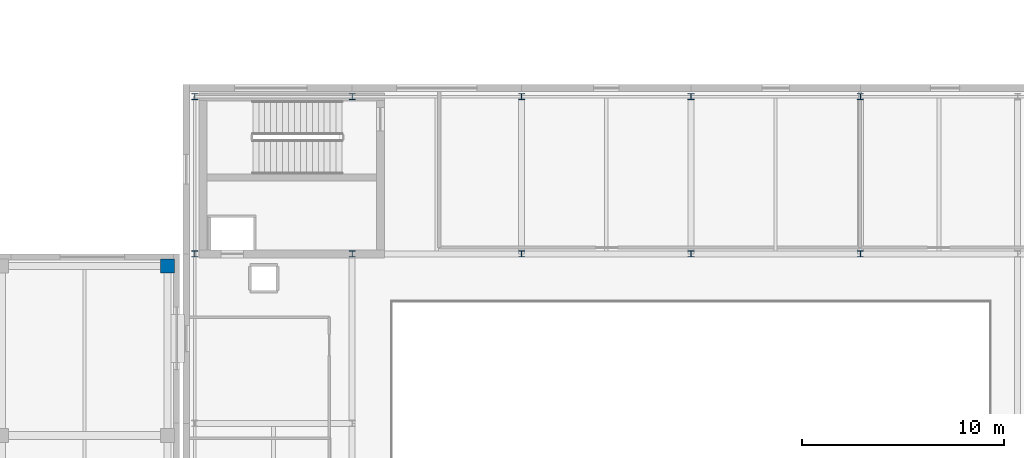
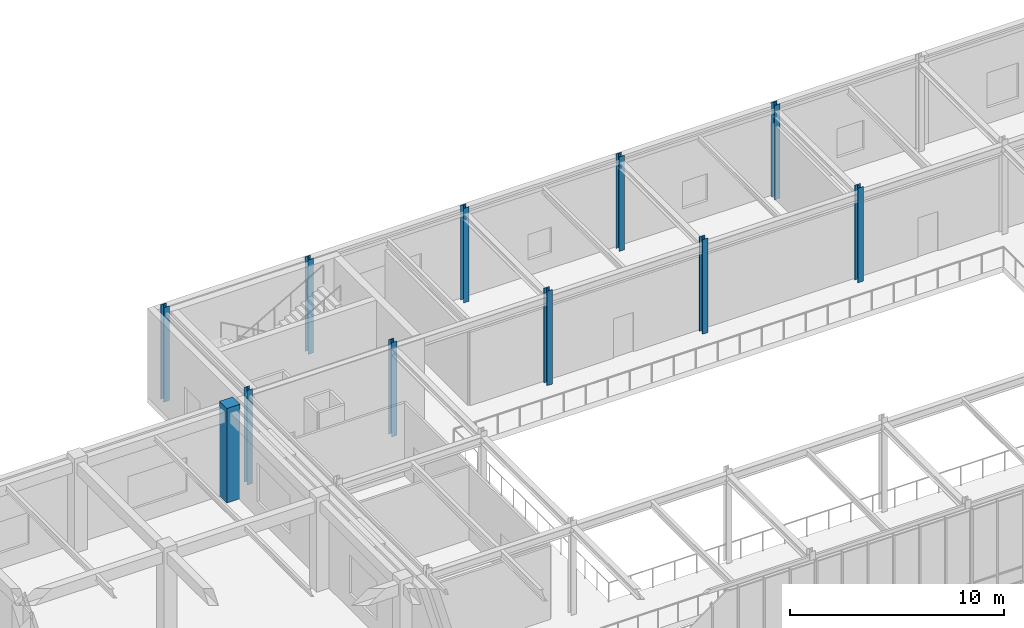
# One storey, part 10 of 139: 11 columns.
"""IFC4 building model written with IfcOpenShell, lengths in metres."""

from ifc_helpers import new_model, si_unit, direction, frame, origin, origin_2d, place, context, subcontext, project, spatial, rectangle, i_section, extrude, material, material_profile, profile_set, type_object, element, save


model = new_model("IFC4")

# Units and contexts
model_context = context("Model", 3, precision=1e-05, world=origin(), true_north=direction((0.0, 1.0)))
body_context = subcontext(model_context, "Body", "Model", "MODEL_VIEW")
ifc_project = project(units=[si_unit("LENGTHUNIT", "METRE"), si_unit("AREAUNIT", "SQUARE_METRE"), si_unit("VOLUMEUNIT", "CUBIC_METRE"), si_unit("PLANEANGLEUNIT", "RADIAN"), si_unit("MASSUNIT", "GRAM", prefix="KILO")], contexts=[model_context])

# Site, building, storey
site_placement = place(None, origin())
site = spatial("IfcSite", under=ifc_project, at=site_placement, CompositionType="ELEMENT")
building_placement = place(site_placement, origin())
building = spatial("IfcBuilding", under=site, at=building_placement, Name="Zayran Congress Hotel", CompositionType="ELEMENT")
storey_placement = place(building_placement, frame((0.0, 0.0, 5.39990234375)))
storey = spatial("IfcBuildingStorey", under=building, at=storey_placement, Name="L01", CompositionType="ELEMENT", Elevation=5.39990234375)

# Columns
ifc_material_1 = material(Name="Concrete C40/50", Category="concrete")
ifc_material_profile_1 = material_profile(ifc_material_1, rectangle(XDim=0.699951171875, YDim=0.699951171875, at=origin_2d()), Name="RC 700x700")
ifc_profile_set_1 = profile_set([ifc_material_profile_1], Name="Concrete C40/50")
column_type_1 = type_object("IfcColumnType", Name="TP-CL-03", PredefinedType="COLUMN", material=ifc_profile_set_1)
column_placement = place(storey_placement, frame((142.050048828125, 109.0, 0.0), z_axis=(0.0, 0.0, 1.0), x_axis=(1.0, 0.0, 0.0)))
element("IfcColumn", 1, at=column_placement, inside=storey, type_object=column_type_1, Name="COL-V4-L01-0792", PredefinedType="COLUMN", context=body_context, shape_type="SweptSolid", body=[
    extrude(rectangle(XDim=0.699951171875, YDim=0.699951171875, at=origin_2d()), origin(), (0.0, 0.0, 1.0), 5.400146484375),
])
ifc_material_2 = material(Name="Steel S355", Category="steel")
ifc_material_profile_2 = material_profile(ifc_material_2, i_section(OverallWidth=0.300048828125, OverallDepth=0.300048828125, WebThickness=0.010986328125, FlangeThickness=0.01904296875, at=origin_2d()), Name="HEB 300")
ifc_profile_set_2 = profile_set([ifc_material_profile_2], Name="Steel S355")
column_type_2 = type_object("IfcColumnType", Name="TP-CL-08", PredefinedType="COLUMN", material=ifc_profile_set_2)
for number, where, z_axis, x_axis, name in (
    (2, (143.39990234375, 109.60009765625, 0.0), (0.0, 0.0, 1.0), (1.0, 0.0, 0.0), "COL-V2-L01-0556"),
    (3, (143.39990234375, 117.39990234375, 0.0), (0.0, 0.0, 1.0), (1.0, 0.0, 0.0), "COL-V2-L01-0557"),
    (4, (151.199951171875, 109.60009765625, 0.0), (0.0, 0.0, 1.0), (1.0, 0.0, 0.0), "COL-V2-L01-0561"),
    (5, (151.199951171875, 117.39990234375, 0.0), (0.0, 0.0, 1.0), (1.0, 0.0, 0.0), "COL-V2-L01-0562"),
    (6, (159.60009765625, 109.60009765625, 0.0), (0.0, 0.0, 1.0), (1.0, 0.0, 0.0), "COL-V2-L01-0565"),
    (7, (159.60009765625, 117.39990234375, 0.0), (0.0, 0.0, 1.0), (1.0, 0.0, 0.0), "COL-V2-L01-0566"),
    (8, (168.0, 109.60009765625, 0.0), (0.0, 0.0, 1.0), (1.0, 0.0, 0.0), "COL-V2-L01-0569"),
    (9, (168.0, 117.39990234375, 0.0), (0.0, 0.0, 1.0), (1.0, 0.0, 0.0), "COL-V2-L01-0570"),
    (10, (176.39990234375, 109.60009765625, 0.0), (0.0, 0.0, 1.0), (1.0, 0.0, 0.0), "COL-V2-L01-0573"),
    (11, (176.39990234375, 117.39990234375, 0.0), (0.0, 0.0, 1.0), (1.0, 0.0, 0.0), "COL-V2-L01-0574"),
):
    element("IfcColumn", number, at=place(storey_placement, frame(where, z_axis=z_axis, x_axis=x_axis)), inside=storey, type_object=column_type_2, Name=name, PredefinedType="COLUMN", context=body_context, shape_type="SweptSolid", body=[
        extrude(i_section(OverallWidth=0.300048828125, OverallDepth=0.300048828125, WebThickness=0.010986328125, FlangeThickness=0.01904296875, at=origin_2d()), origin(), (0.0, 0.0, 1.0), 5.400146484375),
    ])

save(model, "model.ifc")
